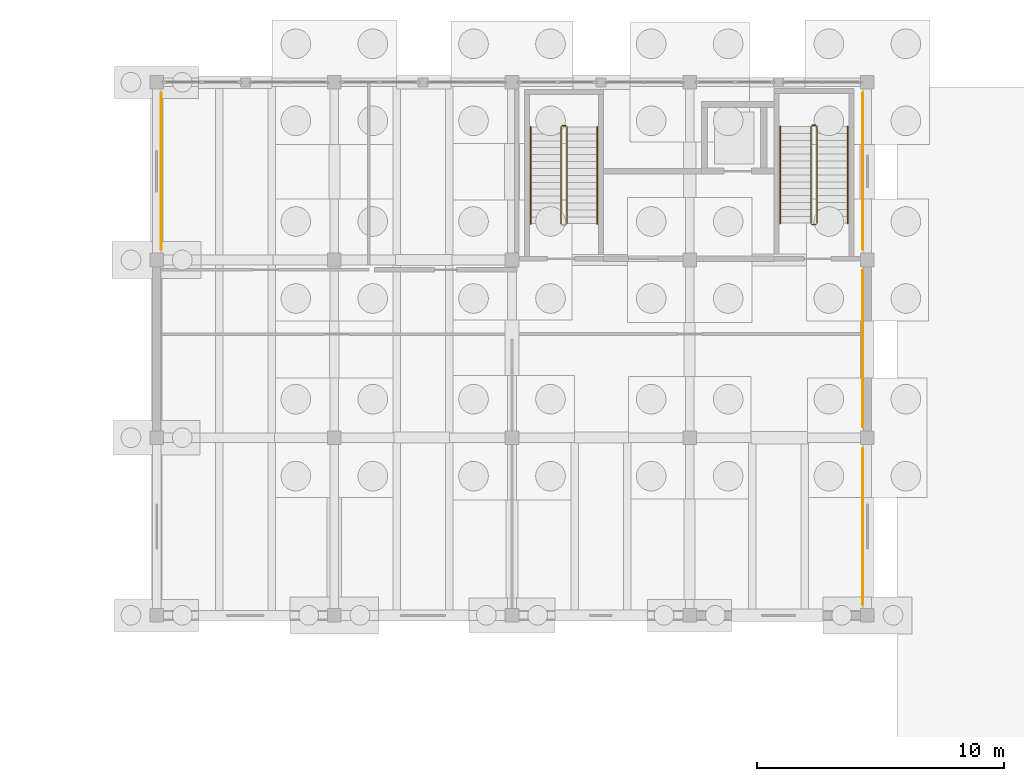
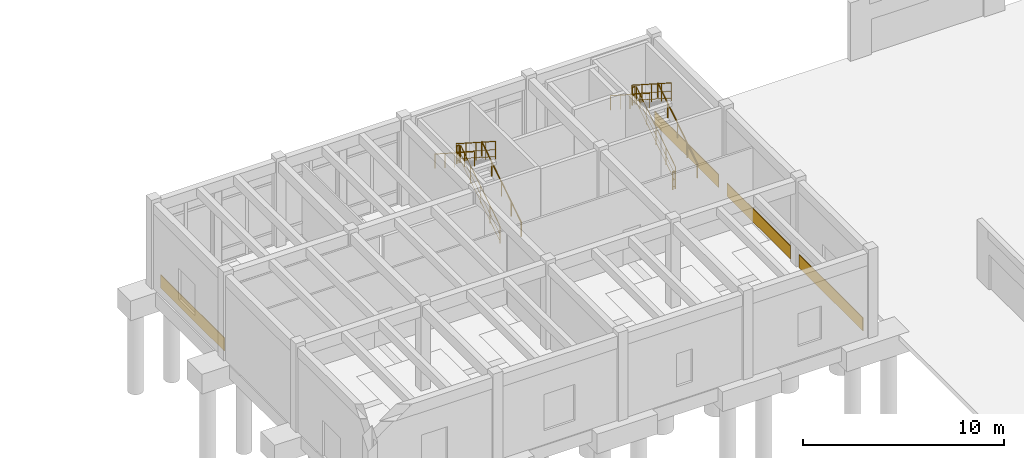
# One storey, part 90 of 93: 11 railings, 4 coverings.
"""IFC4 building model written with IfcOpenShell, lengths in metres."""

from ifc_helpers import new_model, si_unit, direction, frame, origin, origin_2d, place, context, subcontext, project, spatial, rectangle, circle, extrude, material, layer, layer_set, type_object, element, save


model = new_model("IFC4")

# Units and contexts
model_context = context("Model", 3, precision=1e-05, world=origin(), true_north=direction((0.0, 1.0)))
body_context = subcontext(model_context, "Body", "Model", "MODEL_VIEW")
ifc_project = project(units=[si_unit("LENGTHUNIT", "METRE"), si_unit("AREAUNIT", "SQUARE_METRE"), si_unit("VOLUMEUNIT", "CUBIC_METRE"), si_unit("PLANEANGLEUNIT", "RADIAN"), si_unit("MASSUNIT", "GRAM", prefix="KILO")], contexts=[model_context])

# Site, building, storey
site_placement = place(None, origin())
site = spatial("IfcSite", under=ifc_project, at=site_placement, CompositionType="ELEMENT")
building_placement = place(site_placement, origin())
building = spatial("IfcBuilding", under=site, at=building_placement, Name="Koriwan Promenade Central Fire Station", CompositionType="ELEMENT")
storey_placement = place(building_placement, origin())
storey = spatial("IfcBuildingStorey", under=building, at=storey_placement, Name="L00", CompositionType="ELEMENT", Elevation=0.0)

# Railings
ifc_material_1 = material(Name="Steel ASTM A500 Grade C", Category="steel")
ifc_layer_1 = layer(ifc_material_1, 0.050048828125, Name="Steel ASTM A500 Grade C")
ifc_layer_set_1 = layer_set([ifc_layer_1], Name="Steel ASTM A500 Grade C")
railing_type_1 = type_object("IfcRailingType", Name="StairGuard_1100", PredefinedType="BALUSTRADE", material=ifc_layer_set_1)
railing_1_placement = place(storey_placement, frame((98.760009765625, 109.489990234375, 0.179931640625)))
element("IfcRailing", 1, at=railing_1_placement, inside=storey, type_object=railing_type_1, Name="L00 ST04 stair guard 1", PredefinedType="BALUSTRADE", context=body_context, shape_type="SweptSolid", body=[
    extrude(circle(Radius=0.02392578125, at=origin_2d()), frame((0.0, 0.0, 1.076171875), z_axis=(0.0, 0.841171666519, 0.540768182723), x_axis=(-1.0, 0.0, 0.0)), (0.0, 0.0, 1.0), 4.66015625),
    extrude(circle(Radius=0.012939453125, at=origin_2d()), frame((0.0, 0.0, 0.572021484375), z_axis=(0.0, 0.841171666519, 0.540768182723), x_axis=(-1.0, 0.0, 0.0)), (0.0, 0.0, 1.0), 4.66015625),
    extrude(circle(Radius=0.012939453125, at=origin_2d()), frame((0.0, 0.0, 0.154052734375), z_axis=(0.0, 0.841171666519, 0.540768182723), x_axis=(-1.0, 0.0, 0.0)), (0.0, 0.0, 1.0), 4.66015625),
    extrude(circle(Radius=0.02099609375, at=origin_2d()), origin(), (0.0, 0.0, 1.0), 1.052001953125),
    extrude(circle(Radius=0.02099609375, at=origin_2d()), frame((0.0, 0.97998046875, 0.6298828125)), (0.0, 0.0, 1.0), 1.052001953125),
    extrude(circle(Radius=0.02099609375, at=origin_2d()), frame((0.0, 1.9599609375, 1.260009765625)), (0.0, 0.0, 1.0), 1.052001953125),
    extrude(circle(Radius=0.02099609375, at=origin_2d()), frame((0.0, 2.93994140625, 1.89013671875)), (0.0, 0.0, 1.0), 1.052001953125),
    extrude(circle(Radius=0.02099609375, at=origin_2d()), frame((0.0, 3.919921875, 2.52001953125)), (0.0, 0.0, 1.0), 1.052001953125),
])
railing_2_placement = place(storey_placement, frame((98.7099609375, 113.4599609375, 2.699951171875)))
element("IfcRailing", 2, at=railing_2_placement, inside=storey, type_object=railing_type_1, Name="L00 ST04 stair guard 2", PredefinedType="BALUSTRADE", context=body_context, shape_type="SweptSolid", body=[
    extrude(circle(Radius=0.02392578125, at=origin_2d()), frame((0.0, 0.0, 1.076171875), z_axis=(-1.0, 0.0, 0.0), x_axis=(0.0, -1.0, 0.0)), (0.0, 0.0, 1.0), 0.14990234375),
    extrude(circle(Radius=0.012939453125, at=origin_2d()), frame((0.0, 0.0, 0.572021484375), z_axis=(-1.0, 0.0, 0.0), x_axis=(0.0, -1.0, 0.0)), (0.0, 0.0, 1.0), 0.14990234375),
    extrude(circle(Radius=0.012939453125, at=origin_2d()), frame((0.0, 0.0, 0.154052734375), z_axis=(-1.0, 0.0, 0.0), x_axis=(0.0, -1.0, 0.0)), (0.0, 0.0, 1.0), 0.14990234375),
    extrude(circle(Radius=0.02099609375, at=origin_2d()), origin(), (0.0, 0.0, 1.0), 1.052001953125),
    extrude(circle(Radius=0.02099609375, at=origin_2d()), frame((-0.14990234375, 0.0, 0.0)), (0.0, 0.0, 1.0), 1.052001953125),
])
railing_3_placement = place(storey_placement, frame((98.510009765625, 113.409912109375, 2.8798828125)))
element("IfcRailing", 3, at=railing_3_placement, inside=storey, type_object=railing_type_1, Name="L00 ST04 stair guard 3", PredefinedType="BALUSTRADE", context=body_context, shape_type="SweptSolid", body=[
    extrude(circle(Radius=0.02392578125, at=origin_2d()), frame((0.0, 0.0, 1.076171875), z_axis=(0.0, -0.841171666519, 0.540768182723), x_axis=(1.0, 0.0, 0.0)), (0.0, 0.0, 1.0), 4.66015625),
    extrude(circle(Radius=0.012939453125, at=origin_2d()), frame((0.0, 0.0, 0.572021484375), z_axis=(0.0, -0.841171666519, 0.540768182723), x_axis=(1.0, 0.0, 0.0)), (0.0, 0.0, 1.0), 4.66015625),
    extrude(circle(Radius=0.012939453125, at=origin_2d()), frame((0.0, 0.0, 0.154052734375), z_axis=(0.0, -0.841171666519, 0.540768182723), x_axis=(1.0, 0.0, 0.0)), (0.0, 0.0, 1.0), 4.66015625),
    extrude(circle(Radius=0.02099609375, at=origin_2d()), origin(), (0.0, 0.0, 1.0), 1.052001953125),
    extrude(circle(Radius=0.02099609375, at=origin_2d()), frame((0.0, -0.97998046875, 0.6298828125)), (0.0, 0.0, 1.0), 1.052001953125),
    extrude(circle(Radius=0.02099609375, at=origin_2d()), frame((0.0, -1.9599609375, 1.260009765625)), (0.0, 0.0, 1.0), 1.052001953125),
    extrude(circle(Radius=0.02099609375, at=origin_2d()), frame((0.0, -2.93994140625, 1.89013671875)), (0.0, 0.0, 1.0), 1.052001953125),
    extrude(circle(Radius=0.02099609375, at=origin_2d()), frame((0.0, -3.919921875, 2.52001953125)), (0.0, 0.0, 1.0), 1.052001953125),
])
railing_4_placement = place(storey_placement, frame((98.7099609375, 109.43994140625, 0.0)))
element("IfcRailing", 4, at=railing_4_placement, inside=storey, type_object=railing_type_1, Name="L00 ST04 stair guard 4", PredefinedType="BALUSTRADE", context=body_context, shape_type="SweptSolid", body=[
    extrude(circle(Radius=0.02392578125, at=origin_2d()), frame((0.0, 0.0, 1.076171875), z_axis=(-1.0, 0.0, 0.0), x_axis=(0.0, -1.0, 0.0)), (0.0, 0.0, 1.0), 0.14990234375),
    extrude(circle(Radius=0.012939453125, at=origin_2d()), frame((0.0, 0.0, 0.572021484375), z_axis=(-1.0, 0.0, 0.0), x_axis=(0.0, -1.0, 0.0)), (0.0, 0.0, 1.0), 0.14990234375),
    extrude(circle(Radius=0.012939453125, at=origin_2d()), frame((0.0, 0.0, 0.154052734375), z_axis=(-1.0, 0.0, 0.0), x_axis=(0.0, -1.0, 0.0)), (0.0, 0.0, 1.0), 0.14990234375),
    extrude(circle(Radius=0.02099609375, at=origin_2d()), origin(), (0.0, 0.0, 1.0), 1.052001953125),
    extrude(circle(Radius=0.02099609375, at=origin_2d()), frame((-0.14990234375, 0.0, 0.0)), (0.0, 0.0, 1.0), 1.052001953125),
])
railing_5_placement = place(storey_placement, frame((88.6298828125, 109.469970703125, 0.179931640625)))
element("IfcRailing", 5, at=railing_5_placement, inside=storey, type_object=railing_type_1, Name="L00 ST09 stair guard 1", PredefinedType="BALUSTRADE", context=body_context, shape_type="SweptSolid", body=[
    extrude(circle(Radius=0.02392578125, at=origin_2d()), frame((0.0, 0.0, 1.076171875), z_axis=(0.0, 0.841171666519, 0.540768182723), x_axis=(-1.0, 0.0, 0.0)), (0.0, 0.0, 1.0), 4.66015625),
    extrude(circle(Radius=0.012939453125, at=origin_2d()), frame((0.0, 0.0, 0.572021484375), z_axis=(0.0, 0.841171666519, 0.540768182723), x_axis=(-1.0, 0.0, 0.0)), (0.0, 0.0, 1.0), 4.66015625),
    extrude(circle(Radius=0.012939453125, at=origin_2d()), frame((0.0, 0.0, 0.154052734375), z_axis=(0.0, 0.841171666519, 0.540768182723), x_axis=(-1.0, 0.0, 0.0)), (0.0, 0.0, 1.0), 4.66015625),
    extrude(circle(Radius=0.02099609375, at=origin_2d()), origin(), (0.0, 0.0, 1.0), 1.052001953125),
    extrude(circle(Radius=0.02099609375, at=origin_2d()), frame((0.0, 0.97998046875, 0.6298828125)), (0.0, 0.0, 1.0), 1.052001953125),
    extrude(circle(Radius=0.02099609375, at=origin_2d()), frame((0.0, 1.9599609375, 1.260009765625)), (0.0, 0.0, 1.0), 1.052001953125),
    extrude(circle(Radius=0.02099609375, at=origin_2d()), frame((0.0, 2.93994140625, 1.89013671875)), (0.0, 0.0, 1.0), 1.052001953125),
    extrude(circle(Radius=0.02099609375, at=origin_2d()), frame((0.0, 3.919921875, 2.52001953125)), (0.0, 0.0, 1.0), 1.052001953125),
])
railing_6_placement = place(storey_placement, frame((88.580078125, 113.43994140625, 2.699951171875)))
element("IfcRailing", 6, at=railing_6_placement, inside=storey, type_object=railing_type_1, Name="L00 ST09 stair guard 2", PredefinedType="BALUSTRADE", context=body_context, shape_type="SweptSolid", body=[
    extrude(circle(Radius=0.02392578125, at=origin_2d()), frame((0.0, 0.0, 1.076171875), z_axis=(-1.0, 0.0, 0.0), x_axis=(0.0, -1.0, 0.0)), (0.0, 0.0, 1.0), 0.150146484375),
    extrude(circle(Radius=0.012939453125, at=origin_2d()), frame((0.0, 0.0, 0.572021484375), z_axis=(-1.0, 0.0, 0.0), x_axis=(0.0, -1.0, 0.0)), (0.0, 0.0, 1.0), 0.150146484375),
    extrude(circle(Radius=0.012939453125, at=origin_2d()), frame((0.0, 0.0, 0.154052734375), z_axis=(-1.0, 0.0, 0.0), x_axis=(0.0, -1.0, 0.0)), (0.0, 0.0, 1.0), 0.150146484375),
    extrude(circle(Radius=0.02099609375, at=origin_2d()), origin(), (0.0, 0.0, 1.0), 1.052001953125),
    extrude(circle(Radius=0.02099609375, at=origin_2d()), frame((-0.150146484375, 0.0, 0.0)), (0.0, 0.0, 1.0), 1.052001953125),
])
railing_7_placement = place(storey_placement, frame((88.3798828125, 113.389892578125, 2.8798828125)))
element("IfcRailing", 7, at=railing_7_placement, inside=storey, type_object=railing_type_1, Name="L00 ST09 stair guard 3", PredefinedType="BALUSTRADE", context=body_context, shape_type="SweptSolid", body=[
    extrude(circle(Radius=0.02392578125, at=origin_2d()), frame((0.0, 0.0, 1.076171875), z_axis=(0.0, -0.841171666519, 0.540768182723), x_axis=(1.0, 0.0, 0.0)), (0.0, 0.0, 1.0), 4.66015625),
    extrude(circle(Radius=0.012939453125, at=origin_2d()), frame((0.0, 0.0, 0.572021484375), z_axis=(0.0, -0.841171666519, 0.540768182723), x_axis=(1.0, 0.0, 0.0)), (0.0, 0.0, 1.0), 4.66015625),
    extrude(circle(Radius=0.012939453125, at=origin_2d()), frame((0.0, 0.0, 0.154052734375), z_axis=(0.0, -0.841171666519, 0.540768182723), x_axis=(1.0, 0.0, 0.0)), (0.0, 0.0, 1.0), 4.66015625),
    extrude(circle(Radius=0.02099609375, at=origin_2d()), origin(), (0.0, 0.0, 1.0), 1.052001953125),
    extrude(circle(Radius=0.02099609375, at=origin_2d()), frame((0.0, -0.97998046875, 0.6298828125)), (0.0, 0.0, 1.0), 1.052001953125),
    extrude(circle(Radius=0.02099609375, at=origin_2d()), frame((0.0, -1.9599609375, 1.260009765625)), (0.0, 0.0, 1.0), 1.052001953125),
    extrude(circle(Radius=0.02099609375, at=origin_2d()), frame((0.0, -2.93994140625, 1.89013671875)), (0.0, 0.0, 1.0), 1.052001953125),
    extrude(circle(Radius=0.02099609375, at=origin_2d()), frame((0.0, -3.919921875, 2.52001953125)), (0.0, 0.0, 1.0), 1.052001953125),
])
ifc_material_2 = material(Name="Stainless steel 316 tubular handrail", Category="steel")
ifc_layer_2 = layer(ifc_material_2, 0.048095703125, Name="Stainless steel 316 tubular handrail")
ifc_layer_set_2 = layer_set([ifc_layer_2], Name="Stainless steel 316 tubular handrail")
railing_type_2 = type_object("IfcRailingType", Name="StairHandrail_900", PredefinedType="HANDRAIL", material=ifc_layer_set_2)
railing_8_placement = place(storey_placement, frame((100.0, 109.489990234375, 0.179931640625)))
element("IfcRailing", 8, at=railing_8_placement, inside=storey, type_object=railing_type_2, Name="L00 ST04 stair handrail 1", PredefinedType="HANDRAIL", context=body_context, shape_type="SweptSolid", body=[
    extrude(circle(Radius=0.02392578125, at=origin_2d()), frame((0.0, 0.0, 0.8759765625), z_axis=(0.0, 0.841171666519, 0.540768182723), x_axis=(-1.0, 0.0, 0.0)), (0.0, 0.0, 1.0), 4.66015625),
    extrude(circle(Radius=0.02099609375, at=origin_2d()), origin(), (0.0, 0.0, 1.0), 0.851806640625),
    extrude(circle(Radius=0.02099609375, at=origin_2d()), frame((0.0, 0.97998046875, 0.6298828125)), (0.0, 0.0, 1.0), 0.851806640625),
    extrude(circle(Radius=0.02099609375, at=origin_2d()), frame((0.0, 1.9599609375, 1.260009765625)), (0.0, 0.0, 1.0), 0.851806640625),
    extrude(circle(Radius=0.02099609375, at=origin_2d()), frame((0.0, 2.93994140625, 1.89013671875)), (0.0, 0.0, 1.0), 0.851806640625),
    extrude(circle(Radius=0.02099609375, at=origin_2d()), frame((0.0, 3.919921875, 2.52001953125)), (0.0, 0.0, 1.0), 0.851806640625),
])
railing_9_placement = place(storey_placement, frame((97.27001953125, 113.409912109375, 2.8798828125)))
element("IfcRailing", 9, at=railing_9_placement, inside=storey, type_object=railing_type_2, Name="L00 ST04 stair handrail 2", PredefinedType="HANDRAIL", context=body_context, shape_type="SweptSolid", body=[
    extrude(circle(Radius=0.02392578125, at=origin_2d()), frame((0.0, 0.0, 0.8759765625), z_axis=(0.0, -0.841171666519, 0.540768182723), x_axis=(1.0, 0.0, 0.0)), (0.0, 0.0, 1.0), 4.66015625),
    extrude(circle(Radius=0.02099609375, at=origin_2d()), origin(), (0.0, 0.0, 1.0), 0.851806640625),
    extrude(circle(Radius=0.02099609375, at=origin_2d()), frame((0.0, -0.97998046875, 0.6298828125)), (0.0, 0.0, 1.0), 0.851806640625),
    extrude(circle(Radius=0.02099609375, at=origin_2d()), frame((0.0, -1.9599609375, 1.260009765625)), (0.0, 0.0, 1.0), 0.851806640625),
    extrude(circle(Radius=0.02099609375, at=origin_2d()), frame((0.0, -2.93994140625, 1.89013671875)), (0.0, 0.0, 1.0), 0.851806640625),
    extrude(circle(Radius=0.02099609375, at=origin_2d()), frame((0.0, -3.919921875, 2.52001953125)), (0.0, 0.0, 1.0), 0.851806640625),
])
railing_10_placement = place(storey_placement, frame((89.85009765625, 109.469970703125, 0.179931640625)))
element("IfcRailing", 10, at=railing_10_placement, inside=storey, type_object=railing_type_2, Name="L00 ST09 stair handrail 1", PredefinedType="HANDRAIL", context=body_context, shape_type="SweptSolid", body=[
    extrude(circle(Radius=0.02392578125, at=origin_2d()), frame((0.0, 0.0, 0.8759765625), z_axis=(0.0, 0.841171666519, 0.540768182723), x_axis=(-1.0, 0.0, 0.0)), (0.0, 0.0, 1.0), 4.66015625),
    extrude(circle(Radius=0.02099609375, at=origin_2d()), origin(), (0.0, 0.0, 1.0), 0.851806640625),
    extrude(circle(Radius=0.02099609375, at=origin_2d()), frame((0.0, 0.97998046875, 0.6298828125)), (0.0, 0.0, 1.0), 0.851806640625),
    extrude(circle(Radius=0.02099609375, at=origin_2d()), frame((0.0, 1.9599609375, 1.260009765625)), (0.0, 0.0, 1.0), 0.851806640625),
    extrude(circle(Radius=0.02099609375, at=origin_2d()), frame((0.0, 2.93994140625, 1.89013671875)), (0.0, 0.0, 1.0), 0.851806640625),
    extrude(circle(Radius=0.02099609375, at=origin_2d()), frame((0.0, 3.919921875, 2.52001953125)), (0.0, 0.0, 1.0), 0.851806640625),
])
railing_11_placement = place(storey_placement, frame((87.159912109375, 113.389892578125, 2.8798828125)))
element("IfcRailing", 11, at=railing_11_placement, inside=storey, type_object=railing_type_2, Name="L00 ST09 stair handrail 2", PredefinedType="HANDRAIL", context=body_context, shape_type="SweptSolid", body=[
    extrude(circle(Radius=0.02392578125, at=origin_2d()), frame((0.0, 0.0, 0.8759765625), z_axis=(0.0, -0.841171666519, 0.540768182723), x_axis=(1.0, 0.0, 0.0)), (0.0, 0.0, 1.0), 4.66015625),
    extrude(circle(Radius=0.02099609375, at=origin_2d()), origin(), (0.0, 0.0, 1.0), 0.851806640625),
    extrude(circle(Radius=0.02099609375, at=origin_2d()), frame((0.0, -0.97998046875, 0.6298828125)), (0.0, 0.0, 1.0), 0.851806640625),
    extrude(circle(Radius=0.02099609375, at=origin_2d()), frame((0.0, -1.9599609375, 1.260009765625)), (0.0, 0.0, 1.0), 0.851806640625),
    extrude(circle(Radius=0.02099609375, at=origin_2d()), frame((0.0, -2.93994140625, 1.89013671875)), (0.0, 0.0, 1.0), 0.851806640625),
    extrude(circle(Radius=0.02099609375, at=origin_2d()), frame((0.0, -3.919921875, 2.52001953125)), (0.0, 0.0, 1.0), 0.851806640625),
])

# Coverings
ifc_material_3 = material(Name="Natural sillar sandstone ashlar", Category="masonry")
ifc_layer_3 = layer(ifc_material_3, 0.0400390625, Name="Natural sillar sandstone ashlar")
ifc_layer_set_3 = layer_set([ifc_layer_3], Name="Natural sillar sandstone ashlar")
covering_type = type_object("IfcCoveringType", Name="WallCladding_Sillar", PredefinedType="CLADDING", material=ifc_layer_set_3)
for number, where, z_axis, x_axis, name in (
    (12, (100.6201171875, 97.199951171875, 0.02001953125), (0.0, 0.0, 1.0), (0.0, 1.0, 0.0), "L00 sillar plinth cladding 009"),
    (13, (100.6201171875, 104.39990234375, 0.02001953125), (0.0, 0.0, 1.0), (0.0, 1.0, 0.0), "L00 sillar plinth cladding 010"),
    (14, (100.6201171875, 111.60009765625, 0.02001953125), (0.0, 0.0, 1.0), (0.0, 1.0, 0.0), "L00 sillar plinth cladding 011"),
    (15, (72.179931640625, 111.60009765625, 0.02001953125), (0.0, 0.0, 1.0), (0.0, -1.0, 0.0), "L00 sillar plinth cladding 012"),
):
    element("IfcCovering", number, at=place(storey_placement, frame(where, z_axis=z_axis, x_axis=x_axis)), inside=storey, type_object=covering_type, Name=name, PredefinedType="CLADDING", context=body_context, shape_type="SweptSolid", body=[
        extrude(rectangle(XDim=6.35009765625, YDim=0.0400390625, at=origin_2d()), origin(), (0.0, 0.0, 1.0), 0.800048828125),
    ])

save(model, "model.ifc")
